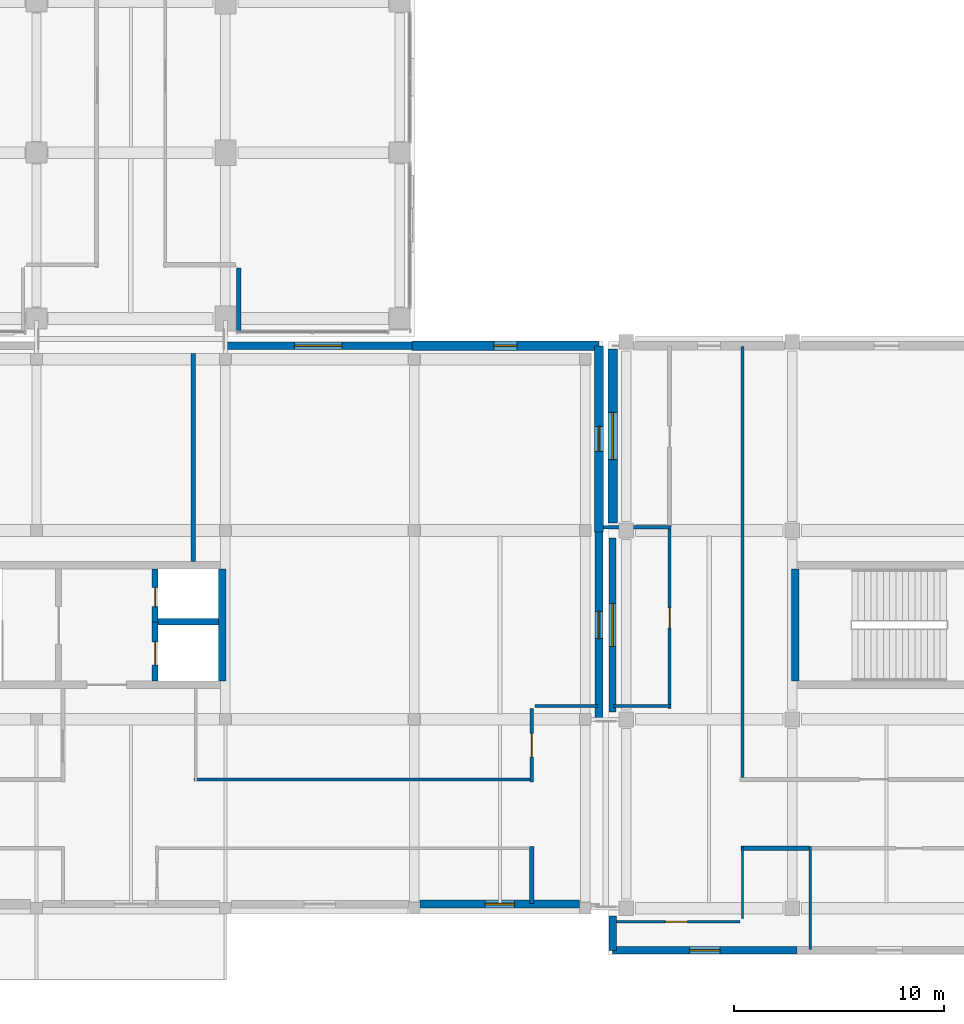
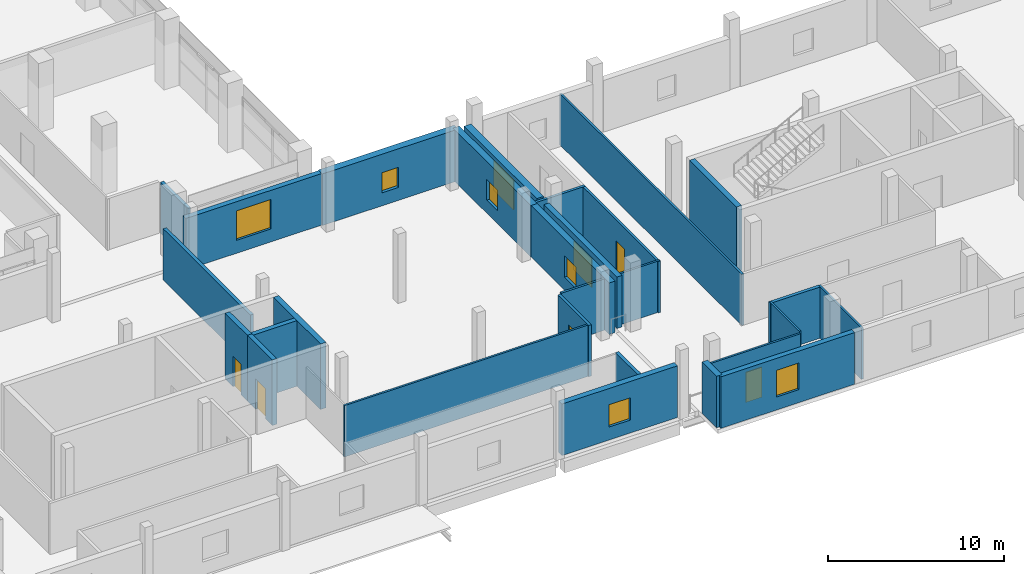
# One storey, part 66 of 111: 28 walls, 8 windows, 5 doors, 13 openings.
"""IFC4 building model written with IfcOpenShell, lengths in metres."""

from ifc_helpers import new_model, si_unit, direction, frame, frame_2d, origin, place, context, subcontext, project, spatial, rectangle, extrude, material, layer, layer_set, type_object, element, fill, save


model = new_model("IFC4")

# Units and contexts
model_context = context("Model", 3, precision=1e-05, world=origin(), true_north=direction((0.0, 1.0)))
body_context = subcontext(model_context, "Body", "Model", "MODEL_VIEW")
ifc_project = project(units=[si_unit("LENGTHUNIT", "METRE"), si_unit("AREAUNIT", "SQUARE_METRE"), si_unit("VOLUMEUNIT", "CUBIC_METRE"), si_unit("PLANEANGLEUNIT", "RADIAN"), si_unit("MASSUNIT", "GRAM", prefix="KILO"), si_unit("THERMODYNAMICTEMPERATUREUNIT", "KELVIN"), si_unit("POWERUNIT", "WATT")], contexts=[model_context])

# Site, building, storey
site_placement = place(None, origin())
site = spatial("IfcSite", under=ifc_project, at=site_placement, CompositionType="ELEMENT")
building_placement = place(site_placement, origin())
building = spatial("IfcBuilding", under=site, at=building_placement, Name="Sindhuravela Promenade Stadium", CompositionType="ELEMENT")
storey_placement = place(building_placement, frame((0.0, 0.0, 9.60009765625)))
storey = spatial("IfcBuildingStorey", under=building, at=storey_placement, Name="L02", CompositionType="ELEMENT", Elevation=9.60009765625)

# Wall, opening, window
ifc_material_1 = material(Name="Terracotta clay brick masonry (15 MPa)", Category="masonry")
ifc_layer_1 = layer(ifc_material_1, 0.340087890625)
ifc_layer_set_1 = layer_set([ifc_layer_1], Name="Terracotta clay brick masonry (15 MPa)")
wall_type_1 = type_object("IfcWallType", Name="EX-WL-BRK340", PredefinedType="SOLIDWALL", material=ifc_layer_set_1)
wall_1_placement = place(storey_placement, frame((54.449951171875, 18.35498046875, 0.0), z_axis=(0.0, 0.0, 1.0), x_axis=(0.0, 1.0, 0.0)))
wall_1 = element("IfcWall", 1, at=wall_1_placement, inside=storey, type_object=wall_type_1, Name="Exterior masonry wall EW06 SOUTH L02", PredefinedType="SOLIDWALL", context=body_context, shape_type="SweptSolid", body=[
    extrude(rectangle(XDim=8.2900390625, YDim=0.340087890625, at=frame_2d((4.14501953125, 0.0))), origin(), (0.0, 0.0, 1.0), 3.579833984375),
])
opening_1_placement = place(wall_1_placement, frame((3.1201171875, 0.0, 0.89990234375)))
opening_1 = element("IfcOpeningElement", 2, at=opening_1_placement, cuts=wall_1, Name="Opening W29", PredefinedType="OPENING", context=body_context, shape_type="SweptSolid", body=[
    extrude(rectangle(XDim=2.050048828125, YDim=2.0, at=frame_2d((1.02490234375, 1.0))), frame((0.0, 0.179931640625, 0.0), z_axis=(0.0, -1.0, 0.0), x_axis=(1.0, 0.0, 0.0)), (0.0, 0.0, 1.0), 0.360107421875),
])
ifc_material_2 = material(Name="Tempered laminated low-E glass", Category="glass")
window_type_1 = type_object("IfcWindowType", Name="WN-FAC-2050x2000", PartitioningType="DOUBLE_PANEL_VERTICAL", PredefinedType="WINDOW", material=ifc_material_2)
window_1_placement = place(opening_1_placement, origin())
window_1 = element("IfcWindow", 3, at=window_1_placement, inside=storey, type_object=window_type_1, Name="Window W29 SOUTH L02", OverallHeight=2.0, OverallWidth=2.050048828125, PartitioningType="DOUBLE_PANEL_VERTICAL", PredefinedType="WINDOW", context=body_context, shape_type="SweptSolid", body=[
    extrude(rectangle(XDim=2.050048828125, YDim=2.0, at=frame_2d((1.02490234375, 1.0))), frame((0.0, 0.030029296875, 0.0), z_axis=(0.0, -1.0, 0.0), x_axis=(1.0, 0.0, 0.0)), (0.0, 0.0, 1.0), 0.06005859375),
])
fill(opening_1, window_1)

wall_2_placement = place(storey_placement, frame((63.2333984375, 7.0, 0.0), z_axis=(0.0, 0.0, 1.0), x_axis=(-1.0, 0.0, 0.0)))
wall_2 = element("IfcWall", 4, at=wall_2_placement, inside=storey, type_object=wall_type_1, Name="Exterior masonry wall EW06 SOUTH L02", PredefinedType="SOLIDWALL", context=body_context, shape_type="SweptSolid", body=[
    extrude(rectangle(XDim=8.783447265625, YDim=0.340087890625, at=frame_2d((4.3916015625, 0.0))), origin(), (0.0, 0.0, 1.0), 3.579833984375),
])
opening_2_placement = place(wall_2_placement, frame((3.66650390625, 0.0, 0.89990234375)))
opening_2 = element("IfcOpeningElement", 5, at=opening_2_placement, cuts=wall_2, Name="Opening W26", PredefinedType="OPENING", context=body_context, shape_type="SweptSolid", body=[
    extrude(rectangle(XDim=1.449951171875, YDim=1.85009765625, at=frame_2d((0.72509765625, 0.925048828125))), frame((0.0, 0.179931640625, 0.0), z_axis=(0.0, -1.0, 0.0), x_axis=(1.0, 0.0, 0.0)), (0.0, 0.0, 1.0), 0.360107421875),
])
window_type_2 = type_object("IfcWindowType", Name="WN-FAC-1450x1850", PartitioningType="SINGLE_PANEL", PredefinedType="WINDOW", material=ifc_material_2)
window_2_placement = place(opening_2_placement, origin())
window_2 = element("IfcWindow", 6, at=window_2_placement, inside=storey, type_object=window_type_2, Name="Window W26 SOUTH L02", OverallHeight=1.85009765625, OverallWidth=1.449951171875, PartitioningType="SINGLE_PANEL", PredefinedType="WINDOW", context=body_context, shape_type="SweptSolid", body=[
    extrude(rectangle(XDim=1.449951171875, YDim=1.85009765625, at=frame_2d((0.72509765625, 0.925048828125))), frame((0.0, 0.030029296875, 0.0), z_axis=(0.0, -1.0, 0.0), x_axis=(1.0, 0.0, 0.0)), (0.0, 0.0, 1.0), 0.06005859375),
])
fill(opening_2, window_2)

wall_3_placement = place(storey_placement, frame((35.9599609375, 35.800048828125, 0.0), z_axis=(0.0, 0.0, 1.0), x_axis=(1.0, 0.0, 0.0)))
wall_3 = element("IfcWall", 7, at=wall_3_placement, inside=storey, type_object=wall_type_1, Name="Exterior masonry wall EW06 Pavilion SW L02", PredefinedType="SOLIDWALL", context=body_context, shape_type="SweptSolid", body=[
    extrude(rectangle(XDim=8.919921875, YDim=0.340087890625, at=frame_2d((4.4599609375, 0.0))), origin(), (0.0, 0.0, 1.0), 3.579833984375),
])
opening_3_placement = place(wall_3_placement, frame((3.3349609375, 0.0, 0.89990234375)))
opening_3 = element("IfcOpeningElement", 8, at=opening_3_placement, cuts=wall_3, Name="Opening W30", PredefinedType="OPENING", context=body_context, shape_type="SweptSolid", body=[
    extrude(rectangle(XDim=2.25, YDim=2.050048828125, at=frame_2d((1.125, 1.02490234375))), frame((0.0, 0.179931640625, 0.0), z_axis=(0.0, -1.0, 0.0), x_axis=(1.0, 0.0, 0.0)), (0.0, 0.0, 1.0), 0.360107421875),
])
window_type_3 = type_object("IfcWindowType", Name="WN-FAC-2250x2050", PartitioningType="DOUBLE_PANEL_VERTICAL", PredefinedType="WINDOW", material=ifc_material_2)
window_3_placement = place(opening_3_placement, origin())
window_3 = element("IfcWindow", 9, at=window_3_placement, inside=storey, type_object=window_type_3, Name="Window W30 Pavilion SW L02", OverallHeight=2.050048828125, OverallWidth=2.25, PartitioningType="DOUBLE_PANEL_VERTICAL", PredefinedType="WINDOW", context=body_context, shape_type="SweptSolid", body=[
    extrude(rectangle(XDim=2.25, YDim=2.050048828125, at=frame_2d((1.125, 1.02490234375))), frame((0.0, 0.030029296875, 0.0), z_axis=(0.0, -1.0, 0.0), x_axis=(1.0, 0.0, 0.0)), (0.0, 0.0, 1.0), 0.06005859375),
])
fill(opening_3, window_3)

# Wall
ifc_layer_2 = layer(ifc_material_1, 0.360107421875)
ifc_layer_set_2 = layer_set([ifc_layer_2], Name="Terracotta clay brick masonry (15 MPa)")
wall_type_2 = type_object("IfcWallType", Name="EX-WL-BRK360", PredefinedType="SOLIDWALL", material=ifc_layer_set_2)
wall_4_placement = place(storey_placement, frame((54.449951171875, 7.0, 0.0), z_axis=(0.0, 0.0, 1.0), x_axis=(0.0, 1.0, 0.0)))
element("IfcWall", 10, at=wall_4_placement, inside=storey, type_object=wall_type_2, Name="Exterior masonry wall EW05 SOUTH L02", PredefinedType="SOLIDWALL", context=body_context, shape_type="SweptSolid", body=[
    extrude(rectangle(XDim=1.64501953125, YDim=0.360107421875, at=frame_2d((0.822509765625, 0.0))), origin(), (0.0, 0.0, 1.0), 3.579833984375),
])

# Wall, opening, window
ifc_layer_3 = layer(ifc_material_1, 0.3798828125)
ifc_layer_set_3 = layer_set([ifc_layer_3], Name="Terracotta clay brick masonry (15 MPa)")
wall_type_3 = type_object("IfcWallType", Name="EX-WL-BRK380", PredefinedType="SOLIDWALL", material=ifc_layer_set_3)
wall_5_placement = place(storey_placement, frame((52.8701171875, 9.199951171875, 0.0), z_axis=(0.0, 0.0, 1.0), x_axis=(-1.0, 0.0, 0.0)))
wall_5 = element("IfcWall", 11, at=wall_5_placement, inside=storey, type_object=wall_type_3, Name="Exterior masonry wall EW04 Pavilion SW L02", PredefinedType="SOLIDWALL", context=body_context, shape_type="SweptSolid", body=[
    extrude(rectangle(XDim=7.590087890625, YDim=0.3798828125, at=frame_2d((3.794921875, 0.0))), origin(), (0.0, 0.0, 1.0), 3.579833984375),
])
opening_4_placement = place(wall_5_placement, frame((3.094970703125, 0.0, 0.89990234375)))
opening_4 = element("IfcOpeningElement", 12, at=opening_4_placement, cuts=wall_5, Name="Opening W04", PredefinedType="OPENING", context=body_context, shape_type="SweptSolid", body=[
    extrude(rectangle(XDim=1.39990234375, YDim=1.550048828125, at=frame_2d((0.699951171875, 0.77490234375))), frame((0.0, 0.199951171875, 0.0), z_axis=(0.0, -1.0, 0.0), x_axis=(1.0, 0.0, 0.0)), (0.0, 0.0, 1.0), 0.39990234375),
])
window_type_4 = type_object("IfcWindowType", Name="WN-FAC-1400x1550", PartitioningType="SINGLE_PANEL", PredefinedType="WINDOW", material=ifc_material_2)
window_4_placement = place(opening_4_placement, origin())
window_4 = element("IfcWindow", 13, at=window_4_placement, inside=storey, type_object=window_type_4, Name="Window W04 Pavilion SW L02", OverallHeight=1.550048828125, OverallWidth=1.39990234375, PartitioningType="SINGLE_PANEL", PredefinedType="WINDOW", context=body_context, shape_type="SweptSolid", body=[
    extrude(rectangle(XDim=1.39990234375, YDim=1.550048828125, at=frame_2d((0.699951171875, 0.77490234375))), frame((0.0, 0.030029296875, 0.0), z_axis=(0.0, -1.0, 0.0), x_axis=(1.0, 0.0, 0.0)), (0.0, 0.0, 1.0), 0.06005859375),
])
fill(opening_4, window_4)

ifc_layer_4 = layer(ifc_material_1, 0.39990234375)
ifc_layer_set_4 = layer_set([ifc_layer_4], Name="Terracotta clay brick masonry (15 MPa)")
wall_type_4 = type_object("IfcWallType", Name="EX-WL-BRK400", PredefinedType="SOLIDWALL", material=ifc_layer_set_4)
wall_6_placement = place(storey_placement, frame((53.800048828125, 26.933349609375, 0.0), z_axis=(0.0, 0.0, 1.0), x_axis=(0.0, -1.0, 0.0)))
wall_6 = element("IfcWall", 14, at=wall_6_placement, inside=storey, type_object=wall_type_4, Name="Exterior masonry wall EW03 Pavilion SW L02", PredefinedType="SOLIDWALL", context=body_context, shape_type="SweptSolid", body=[
    extrude(rectangle(XDim=8.86669921875, YDim=0.39990234375, at=frame_2d((4.433349609375, 0.0))), origin(), (0.0, 0.0, 1.0), 3.579833984375),
])
opening_5_placement = place(wall_6_placement, frame((3.783203125, 0.0, 0.89990234375)))
opening_5 = element("IfcOpeningElement", 15, at=opening_5_placement, cuts=wall_6, Name="Opening W03", PredefinedType="OPENING", context=body_context, shape_type="SweptSolid", body=[
    extrude(rectangle(XDim=1.300048828125, YDim=1.5, at=frame_2d((0.64990234375, 0.75))), frame((0.0, 0.2099609375, 0.0), z_axis=(0.0, -1.0, 0.0), x_axis=(1.0, 0.0, 0.0)), (0.0, 0.0, 1.0), 0.419921875),
])
window_type_5 = type_object("IfcWindowType", Name="WN-FAC-1300x1500", PartitioningType="SINGLE_PANEL", PredefinedType="WINDOW", material=ifc_material_2)
window_5_placement = place(opening_5_placement, origin())
window_5 = element("IfcWindow", 16, at=window_5_placement, inside=storey, type_object=window_type_5, Name="Window W03 Pavilion SW L02", OverallHeight=1.5, OverallWidth=1.300048828125, PartitioningType="SINGLE_PANEL", PredefinedType="WINDOW", context=body_context, shape_type="SweptSolid", body=[
    extrude(rectangle(XDim=1.300048828125, YDim=1.5, at=frame_2d((0.64990234375, 0.75))), frame((0.0, 0.030029296875, 0.0), z_axis=(0.0, -1.0, 0.0), x_axis=(1.0, 0.0, 0.0)), (0.0, 0.0, 1.0), 0.06005859375),
])
fill(opening_5, window_5)

ifc_layer_5 = layer(ifc_material_1, 0.419921875)
ifc_layer_set_5 = layer_set([ifc_layer_5], Name="Terracotta clay brick masonry (15 MPa)")
wall_type_5 = type_object("IfcWallType", Name="EX-WL-BRK420", PredefinedType="SOLIDWALL", material=ifc_layer_set_5)
wall_7_placement = place(storey_placement, frame((53.800048828125, 35.800048828125, 0.0), z_axis=(0.0, 0.0, 1.0), x_axis=(0.0, -1.0, 0.0)))
wall_7 = element("IfcWall", 17, at=wall_7_placement, inside=storey, type_object=wall_type_5, Name="Exterior masonry wall EW02 Pavilion SW L02", PredefinedType="SOLIDWALL", context=body_context, shape_type="SweptSolid", body=[
    extrude(rectangle(XDim=8.86669921875, YDim=0.419921875, at=frame_2d((4.433349609375, 0.0))), origin(), (0.0, 0.0, 1.0), 3.579833984375),
])
opening_6_placement = place(wall_7_placement, frame((3.833251953125, 0.0, 0.89990234375)))
opening_6 = element("IfcOpeningElement", 18, at=opening_6_placement, cuts=wall_7, Name="Opening W02", PredefinedType="OPENING", context=body_context, shape_type="SweptSolid", body=[
    extrude(rectangle(XDim=1.199951171875, YDim=1.449951171875, at=frame_2d((0.60009765625, 0.72509765625))), frame((0.0, 0.219970703125, 0.0), z_axis=(0.0, -1.0, 0.0), x_axis=(1.0, 0.0, 0.0)), (0.0, 0.0, 1.0), 0.43994140625),
])
window_type_6 = type_object("IfcWindowType", Name="WN-FAC-1200x1450", PartitioningType="SINGLE_PANEL", PredefinedType="WINDOW", material=ifc_material_2)
window_6_placement = place(opening_6_placement, origin())
window_6 = element("IfcWindow", 19, at=window_6_placement, inside=storey, type_object=window_type_6, Name="Window W02 Pavilion SW L02", OverallHeight=1.449951171875, OverallWidth=1.199951171875, PartitioningType="SINGLE_PANEL", PredefinedType="WINDOW", context=body_context, shape_type="SweptSolid", body=[
    extrude(rectangle(XDim=1.199951171875, YDim=1.449951171875, at=frame_2d((0.60009765625, 0.72509765625))), frame((0.0, 0.030029296875, 0.0), z_axis=(0.0, -1.0, 0.0), x_axis=(1.0, 0.0, 0.0)), (0.0, 0.0, 1.0), 0.06005859375),
])
fill(opening_6, window_6)

ifc_layer_6 = layer(ifc_material_1, 0.4599609375)
ifc_layer_set_6 = layer_set([ifc_layer_6], Name="Terracotta clay brick masonry (15 MPa)")
wall_type_6 = type_object("IfcWallType", Name="EX-WL-BRK460", PredefinedType="SOLIDWALL", material=ifc_layer_set_6)
wall_8_placement = place(storey_placement, frame((54.449951171875, 27.35498046875, 0.0), z_axis=(0.0, 0.0, 1.0), x_axis=(0.0, 1.0, 0.0)))
wall_8 = element("IfcWall", 20, at=wall_8_placement, inside=storey, type_object=wall_type_6, Name="Exterior masonry wall EW01 SOUTH L02", PredefinedType="SOLIDWALL", context=body_context, shape_type="SweptSolid", body=[
    extrude(rectangle(XDim=8.2900390625, YDim=0.4599609375, at=frame_2d((4.14501953125, 0.0))), origin(), (0.0, 0.0, 1.0), 3.579833984375),
])
opening_7_placement = place(wall_8_placement, frame((3.02001953125, 0.0, 0.89990234375)))
opening_7 = element("IfcOpeningElement", 21, at=opening_7_placement, cuts=wall_8, Name="Opening W30", PredefinedType="OPENING", context=body_context, shape_type="SweptSolid", body=[
    extrude(rectangle(XDim=2.25, YDim=2.050048828125, at=frame_2d((1.125, 1.02490234375))), frame((0.0, 0.239990234375, 0.0), z_axis=(0.0, -1.0, 0.0), x_axis=(1.0, 0.0, 0.0)), (0.0, 0.0, 1.0), 0.47998046875),
])
window_7_placement = place(opening_7_placement, origin())
window_7 = element("IfcWindow", 22, at=window_7_placement, inside=storey, type_object=window_type_3, Name="Window W30 SOUTH L02", OverallHeight=2.050048828125, OverallWidth=2.25, PartitioningType="DOUBLE_PANEL_VERTICAL", PredefinedType="WINDOW", context=body_context, shape_type="SweptSolid", body=[
    extrude(rectangle(XDim=2.25, YDim=2.050048828125, at=frame_2d((1.125, 1.02490234375))), frame((0.0, 0.030029296875, 0.0), z_axis=(0.0, -1.0, 0.0), x_axis=(1.0, 0.0, 0.0)), (0.0, 0.0, 1.0), 0.06005859375),
])
fill(opening_7, window_7)

wall_9_placement = place(storey_placement, frame((44.8798828125, 35.800048828125, 0.0), z_axis=(0.0, 0.0, 1.0), x_axis=(1.0, 0.0, 0.0)))
wall_9 = element("IfcWall", 23, at=wall_9_placement, inside=storey, type_object=wall_type_6, Name="Exterior masonry wall EW01 Pavilion SW L02", PredefinedType="SOLIDWALL", context=body_context, shape_type="SweptSolid", body=[
    extrude(rectangle(XDim=8.920166015625, YDim=0.4599609375, at=frame_2d((4.4599609375, 0.0))), origin(), (0.0, 0.0, 1.0), 3.579833984375),
])
opening_8_placement = place(wall_9_placement, frame((3.909912109375, 0.0, 0.89990234375)))
opening_8 = element("IfcOpeningElement", 24, at=opening_8_placement, cuts=wall_9, Name="Opening W01", PredefinedType="OPENING", context=body_context, shape_type="SweptSolid", body=[
    extrude(rectangle(XDim=1.10009765625, YDim=1.39990234375, at=frame_2d((0.550048828125, 0.699951171875))), frame((0.0, 0.239990234375, 0.0), z_axis=(0.0, -1.0, 0.0), x_axis=(1.0, 0.0, 0.0)), (0.0, 0.0, 1.0), 0.47998046875),
])
window_type_7 = type_object("IfcWindowType", Name="WN-FAC-1100x1400", PartitioningType="SINGLE_PANEL", PredefinedType="WINDOW", material=ifc_material_2)
window_8_placement = place(opening_8_placement, origin())
window_8 = element("IfcWindow", 25, at=window_8_placement, inside=storey, type_object=window_type_7, Name="Window W01 Pavilion SW L02", OverallHeight=1.39990234375, OverallWidth=1.10009765625, PartitioningType="SINGLE_PANEL", PredefinedType="WINDOW", context=body_context, shape_type="SweptSolid", body=[
    extrude(rectangle(XDim=1.10009765625, YDim=1.39990234375, at=frame_2d((0.550048828125, 0.699951171875))), frame((0.0, 0.030029296875, 0.0), z_axis=(0.0, -1.0, 0.0), x_axis=(1.0, 0.0, 0.0)), (0.0, 0.0, 1.0), 0.06005859375),
])
fill(opening_8, window_8)

# Walls
ifc_material_3 = material(Name="Fire-rated gypsum partition board", Category="gypsum")
ifc_layer_7 = layer(ifc_material_3, 0.110107421875)
ifc_layer_set_7 = layer_set([ifc_layer_7], Name="Fire-rated gypsum partition board")
wall_type_7 = type_object("IfcWallType", Name="IN-WL-PAR110", PredefinedType="PARTITIONING", material=ifc_layer_set_7)
wall_10_placement = place(storey_placement, frame((60.639892578125, 8.52001953125, 0.0), z_axis=(0.0, 0.0, 1.0), x_axis=(0.0, 1.0, 0.0)))
element("IfcWall", 26, at=wall_10_placement, inside=storey, type_object=wall_type_7, Name="Interior partition IW06 SOUTH L02", PredefinedType="PARTITIONING", context=body_context, shape_type="SweptSolid", body=[
    extrude(rectangle(XDim=3.419921875, YDim=0.110107421875, at=frame_2d((1.7099609375, 0.0))), origin(), (0.0, 0.0, 1.0), 3.559814453125),
])
ifc_layer_8 = layer(ifc_material_3, 0.1298828125)
ifc_layer_set_8 = layer_set([ifc_layer_8], Name="Fire-rated gypsum partition board")
wall_type_8 = type_object("IfcWallType", Name="IN-WL-PAR130", PredefinedType="PARTITIONING", material=ifc_layer_set_8)
wall_11_placement = place(storey_placement, frame((60.639892578125, 15.06005859375, 0.0), z_axis=(0.0, 0.0, 1.0), x_axis=(0.0, 1.0, 0.0)))
element("IfcWall", 27, at=wall_11_placement, inside=storey, type_object=wall_type_8, Name="Interior partition IW05 SOUTH L02", PredefinedType="PARTITIONING", context=body_context, shape_type="SweptSolid", body=[
    extrude(rectangle(XDim=20.699951171875, YDim=0.1298828125, at=frame_2d((10.35009765625, 0.0))), origin(), (0.0, 0.0, 1.0), 3.559814453125),
])
wall_12_placement = place(storey_placement, frame((63.864990234375, 7.0400390625, 0.0), z_axis=(0.0, 0.0, 1.0), x_axis=(0.0, 1.0, 0.0)))
element("IfcWall", 28, at=wall_12_placement, inside=storey, type_object=wall_type_8, Name="Interior partition IW05 SOUTH L02", PredefinedType="PARTITIONING", context=body_context, shape_type="SweptSolid", body=[
    extrude(rectangle(XDim=4.89990234375, YDim=0.1298828125, at=frame_2d((2.449951171875, 0.0))), origin(), (0.0, 0.0, 1.0), 3.559814453125),
])

# Wall, opening, door
wall_13_placement = place(storey_placement, frame((60.52001953125, 8.360107421875, 0.0), z_axis=(0.0, 0.0, 1.0), x_axis=(-1.0, 0.0, 0.0)))
wall_13 = element("IfcWall", 29, at=wall_13_placement, inside=storey, type_object=wall_type_8, Name="Corridor partition IW05 Public Toilet Block South L02 7", PredefinedType="PARTITIONING", context=body_context, shape_type="SweptSolid", body=[
    extrude(rectangle(XDim=6.070068359375, YDim=0.1298828125, at=frame_2d((3.03515625, 0.0))), origin(), (0.0, 0.0, 1.0), 3.559814453125),
])
opening_9_placement = place(wall_13_placement, frame((2.510009765625, 0.0, 0.0)))
opening_9 = element("IfcOpeningElement", 30, at=opening_9_placement, cuts=wall_13, Name="Opening ID07", PredefinedType="OPENING", context=body_context, shape_type="SweptSolid", body=[
    extrude(rectangle(XDim=1.050048828125, YDim=2.10009765625, at=frame_2d((0.52490234375, 1.050048828125))), frame((0.0, 0.074951171875, 0.0), z_axis=(0.0, -1.0, 0.0), x_axis=(1.0, 0.0, 0.0)), (0.0, 0.0, 1.0), 0.14990234375),
])
ifc_material_4 = material(Name="Architectural teak timber leaf", Category="wood")
door_type_1 = type_object("IfcDoorType", Name="DR-INT-1050x2100", OperationType="NOTDEFINED", PredefinedType="DOOR", material=ifc_material_4)
door_1_placement = place(opening_9_placement, origin())
door_1 = element("IfcDoor", 31, at=door_1_placement, inside=storey, type_object=door_type_1, Name="Public Toilet Block South L02 7 door", OperationType="SINGLE_SWING_RIGHT", OverallHeight=2.10009765625, OverallWidth=1.050048828125, PredefinedType="DOOR", context=body_context, shape_type="SweptSolid", body=[
    extrude(rectangle(XDim=1.050048828125, YDim=2.10009765625, at=frame_2d((0.52490234375, 1.050048828125))), frame((0.0, 0.02490234375, 0.0), z_axis=(0.0, -1.0, 0.0), x_axis=(1.0, 0.0, 0.0)), (0.0, 0.0, 1.0), 0.050048828125),
])
fill(opening_9, door_1)

# Walls
wall_14_placement = place(storey_placement, frame((57.239990234375, 18.639892578125, 0.0), z_axis=(0.0, 0.0, 1.0), x_axis=(-1.0, 0.0, 0.0)))
element("IfcWall", 32, at=wall_14_placement, inside=storey, type_object=wall_type_8, Name="Interior partition IW05 SOUTH L02", PredefinedType="PARTITIONING", context=body_context, shape_type="SweptSolid", body=[
    extrude(rectangle(XDim=2.75, YDim=0.1298828125, at=frame_2d((1.375, 0.0))), origin(), (0.0, 0.0, 1.0), 3.559814453125),
])
wall_15_placement = place(storey_placement, frame((50.669921875, 15.139892578125, 0.0), z_axis=(0.0, 0.0, 1.0), x_axis=(-1.0, 0.0, 0.0)))
element("IfcWall", 33, at=wall_15_placement, inside=storey, type_object=wall_type_8, Name="Interior partition IW05 Pavilion SW L02", PredefinedType="PARTITIONING", context=body_context, shape_type="SweptSolid", body=[
    extrude(rectangle(XDim=16.169921875, YDim=0.1298828125, at=frame_2d((8.0849609375, 0.0))), origin(), (0.0, 0.0, 1.0), 3.559814453125),
])

# Wall, opening, door
ifc_layer_9 = layer(ifc_material_3, 0.14990234375)
ifc_layer_set_9 = layer_set([ifc_layer_9], Name="Fire-rated gypsum partition board")
wall_type_9 = type_object("IfcWallType", Name="IN-WL-PAR150", PredefinedType="PARTITIONING", material=ifc_layer_set_9)
wall_16_placement = place(storey_placement, frame((57.159912109375, 18.52001953125, 0.0), z_axis=(0.0, 0.0, 1.0), x_axis=(0.0, 1.0, 0.0)))
wall_16 = element("IfcWall", 34, at=wall_16_placement, inside=storey, type_object=wall_type_9, Name="Corridor partition IW04 Civic Seminar and Education Room 9", PredefinedType="PARTITIONING", context=body_context, shape_type="SweptSolid", body=[
    extrude(rectangle(XDim=8.639892578125, YDim=0.14990234375, at=frame_2d((4.31982421875, 0.0))), origin(), (0.0, 0.0, 1.0), 3.559814453125),
])
opening_10_placement = place(wall_16_placement, frame((3.844970703125, 0.0, 0.0)))
opening_10 = element("IfcOpeningElement", 35, at=opening_10_placement, cuts=wall_16, Name="Opening ID09", PredefinedType="OPENING", context=body_context, shape_type="SweptSolid", body=[
    extrude(rectangle(XDim=0.949951171875, YDim=2.10009765625, at=frame_2d((0.47509765625, 1.050048828125))), frame((0.0, 0.0849609375, 0.0), z_axis=(0.0, -1.0, 0.0), x_axis=(1.0, 0.0, 0.0)), (0.0, 0.0, 1.0), 0.169921875),
])
door_type_2 = type_object("IfcDoorType", Name="DR-INT-950x2100", OperationType="NOTDEFINED", PredefinedType="DOOR", material=ifc_material_4)
door_2_placement = place(opening_10_placement, origin())
door_2 = element("IfcDoor", 36, at=door_2_placement, inside=storey, type_object=door_type_2, Name="Civic Seminar and Education Room 9 door", OperationType="SINGLE_SWING_RIGHT", OverallHeight=2.10009765625, OverallWidth=0.949951171875, PredefinedType="DOOR", context=body_context, shape_type="SweptSolid", body=[
    extrude(rectangle(XDim=0.949951171875, YDim=2.10009765625, at=frame_2d((0.47509765625, 1.050048828125))), frame((0.0, 0.02490234375, 0.0), z_axis=(0.0, -1.0, 0.0), x_axis=(1.0, 0.0, 0.0)), (0.0, 0.0, 1.0), 0.050048828125),
])
fill(opening_10, door_2)

# Walls
wall_17_placement = place(storey_placement, frame((53.760009765625, 18.639892578125, 0.0), z_axis=(0.0, 0.0, 1.0), x_axis=(-1.0, 0.0, 0.0)))
element("IfcWall", 37, at=wall_17_placement, inside=storey, type_object=wall_type_9, Name="Interior partition IW04 Pavilion SW L02", PredefinedType="PARTITIONING", context=body_context, shape_type="SweptSolid", body=[
    extrude(rectangle(XDim=3.010009765625, YDim=0.14990234375, at=frame_2d((1.5048828125, 0.0))), origin(), (0.0, 0.0, 1.0), 3.559814453125),
])
ifc_layer_10 = layer(ifc_material_3, 0.175048828125)
ifc_layer_set_10 = layer_set([ifc_layer_10], Name="Fire-rated gypsum partition board")
wall_type_10 = type_object("IfcWallType", Name="IN-WL-PAR175", PredefinedType="PARTITIONING", material=ifc_layer_set_10)
wall_18_placement = place(storey_placement, frame((57.239990234375, 27.159912109375, 0.0), z_axis=(0.0, 0.0, 1.0), x_axis=(-1.0, 0.0, 0.0)))
element("IfcWall", 38, at=wall_18_placement, inside=storey, type_object=wall_type_10, Name="Interior partition IW03 SOUTH L02", PredefinedType="PARTITIONING", context=body_context, shape_type="SweptSolid", body=[
    extrude(rectangle(XDim=3.22705078125, YDim=0.175048828125, at=frame_2d((1.613525390625, 0.0))), origin(), (0.0, 0.0, 1.0), 3.559814453125),
])

# Wall, opening, door
wall_19_placement = place(storey_placement, frame((50.590087890625, 15.02001953125, 0.0), z_axis=(0.0, 0.0, 1.0), x_axis=(0.0, 1.0, 0.0)))
wall_19 = element("IfcWall", 39, at=wall_19_placement, inside=storey, type_object=wall_type_10, Name="Corridor partition IW03 Pavilion Parkview Club Lounge SW", PredefinedType="PARTITIONING", context=body_context, shape_type="SweptSolid", body=[
    extrude(rectangle(XDim=3.5, YDim=0.175048828125, at=frame_2d((1.75, 0.0))), origin(), (0.0, 0.0, 1.0), 3.559814453125),
])
opening_11_placement = place(wall_19_placement, frame((1.18994140625, 0.0, 0.0)))
opening_11 = element("IfcOpeningElement", 40, at=opening_11_placement, cuts=wall_19, Name="Opening ID13", PredefinedType="OPENING", context=body_context, shape_type="SweptSolid", body=[
    extrude(rectangle(XDim=1.1201171875, YDim=2.219970703125, at=frame_2d((0.56005859375, 1.10986328125))), frame((0.0, 0.097412109375, 0.0), z_axis=(0.0, -1.0, 0.0), x_axis=(1.0, 0.0, 0.0)), (0.0, 0.0, 1.0), 0.195068359375),
])
door_type_3 = type_object("IfcDoorType", Name="DR-INT-1120x2220", OperationType="NOTDEFINED", PredefinedType="DOOR", material=ifc_material_4)
door_3_placement = place(opening_11_placement, origin())
door_3 = element("IfcDoor", 41, at=door_3_placement, inside=storey, type_object=door_type_3, Name="Pavilion Parkview Club Lounge SW door", OperationType="SINGLE_SWING_LEFT", OverallHeight=2.219970703125, OverallWidth=1.1201171875, PredefinedType="DOOR", context=body_context, shape_type="SweptSolid", body=[
    extrude(rectangle(XDim=1.1201171875, YDim=2.219970703125, at=frame_2d((0.56005859375, 1.10986328125))), frame((0.0, 0.02490234375, 0.0), z_axis=(0.0, -1.0, 0.0), x_axis=(1.0, 0.0, 0.0)), (0.0, 0.0, 1.0), 0.050048828125),
])
fill(opening_11, door_3)

# Walls
ifc_layer_11 = layer(ifc_material_3, 0.219970703125)
ifc_layer_set_11 = layer_set([ifc_layer_11], Name="Fire-rated gypsum partition board")
wall_type_11 = type_object("IfcWallType", Name="IN-WL-PAR220", PredefinedType="PARTITIONING", material=ifc_layer_set_11)
wall_20_placement = place(storey_placement, frame((36.639892578125, 36.489990234375, 0.0), z_axis=(0.0, 0.0, 1.0), x_axis=(0.0, 1.0, 0.0)))
element("IfcWall", 42, at=wall_20_placement, inside=storey, type_object=wall_type_11, Name="Interior partition IW01 WEST L02", PredefinedType="PARTITIONING", context=body_context, shape_type="SweptSolid", body=[
    extrude(rectangle(XDim=3.010009765625, YDim=0.219970703125, at=frame_2d((1.5048828125, 0.0))), origin(), (0.0, 0.0, 1.0), 3.559814453125),
])
wall_21_placement = place(storey_placement, frame((60.56005859375, 11.860107421875, 0.0), z_axis=(0.0, 0.0, 1.0), x_axis=(1.0, 0.0, 0.0)))
element("IfcWall", 43, at=wall_21_placement, inside=storey, type_object=wall_type_11, Name="Interior partition IW01 SOUTH L02", PredefinedType="PARTITIONING", context=body_context, shape_type="SweptSolid", body=[
    extrude(rectangle(XDim=3.264892578125, YDim=0.219970703125, at=frame_2d((1.63232421875, 0.0))), origin(), (0.0, 0.0, 1.0), 3.559814453125),
])
wall_22_placement = place(storey_placement, frame((34.4599609375, 25.527099609375, 0.0), z_axis=(0.0, 0.0, 1.0), x_axis=(0.0, 1.0, 0.0)))
element("IfcWall", 44, at=wall_22_placement, inside=storey, type_object=wall_type_11, Name="Interior partition IW01 Pavilion SW L02", PredefinedType="PARTITIONING", context=body_context, shape_type="SweptSolid", body=[
    extrude(rectangle(XDim=9.90283203125, YDim=0.219970703125, at=frame_2d((4.951416015625, 0.0))), origin(), (0.0, 0.0, 1.0), 3.559814453125),
])
wall_23_placement = place(storey_placement, frame((50.590087890625, 11.93994140625, 0.0), z_axis=(0.0, 0.0, 1.0), x_axis=(0.0, -1.0, 0.0)))
element("IfcWall", 45, at=wall_23_placement, inside=storey, type_object=wall_type_11, Name="Interior partition IW01 Pavilion SW L02", PredefinedType="PARTITIONING", context=body_context, shape_type="SweptSolid", body=[
    extrude(rectangle(XDim=2.699951171875, YDim=0.219970703125, at=frame_2d((1.35009765625, 0.0))), origin(), (0.0, 0.0, 1.0), 3.559814453125),
])

# Wall, opening, door
ifc_material_5 = material(Name="Concrete M50", Category="concrete")
ifc_layer_12 = layer(ifc_material_5, 0.300048828125)
ifc_layer_set_12 = layer_set([ifc_layer_12], Name="Concrete M50")
wall_type_12 = type_object("IfcWallType", Name="RC-SW-300", PredefinedType="SHEAR", material=ifc_layer_set_12)
wall_24_placement = place(storey_placement, frame((32.64990234375, 19.824951171875, 0.0), z_axis=(0.0, 0.0, 1.0), x_axis=(0.0, 1.0, 0.0)))
wall_24 = element("IfcWall", 46, at=wall_24_placement, inside=storey, type_object=wall_type_12, Name="Core shear wall C13-LFT (L02)", PredefinedType="SHEAR", context=body_context, shape_type="SweptSolid", body=[
    extrude(rectangle(XDim=2.824951171875, YDim=0.300048828125, at=frame_2d((1.41259765625, 0.0))), origin(), (0.0, 0.0, 1.0), 4.554931640625),
])
opening_12_placement = place(wall_24_placement, frame((0.77490234375, 0.0, 0.0)))
opening_12 = element("IfcOpeningElement", 47, at=opening_12_placement, cuts=wall_24, Name="Opening LD", PredefinedType="OPENING", context=body_context, shape_type="SweptSolid", body=[
    extrude(rectangle(XDim=1.10009765625, YDim=2.10009765625, at=frame_2d((0.550048828125, 1.050048828125))), frame((0.0, 0.159912109375, 0.0), z_axis=(0.0, -1.0, 0.0), x_axis=(1.0, 0.0, 0.0)), (0.0, 0.0, 1.0), 0.320068359375),
])
ifc_material_6 = material(Name="Architectural wrought steel E350", Category="steel")
door_type_4 = type_object("IfcDoorType", Name="DR-LFT-1100x2100", OperationType="DOUBLE_DOOR_SLIDING", PredefinedType="DOOR", material=ifc_material_6)
door_4_placement = place(opening_12_placement, origin())
door_4 = element("IfcDoor", 48, at=door_4_placement, inside=storey, type_object=door_type_4, Name="Lift PL05 landing door (L02)", OperationType="DOUBLE_DOOR_SLIDING", OverallHeight=2.10009765625, OverallWidth=1.10009765625, PredefinedType="DOOR", context=body_context, shape_type="SweptSolid", body=[
    extrude(rectangle(XDim=1.10009765625, YDim=2.10009765625, at=frame_2d((0.550048828125, 1.050048828125))), frame((0.0, 0.02490234375, 0.0), z_axis=(0.0, -1.0, 0.0), x_axis=(1.0, 0.0, 0.0)), (0.0, 0.0, 1.0), 0.050048828125),
])
fill(opening_12, door_4)

wall_25_placement = place(storey_placement, frame((32.64990234375, 22.64990234375, 0.0), z_axis=(0.0, 0.0, 1.0), x_axis=(0.0, 1.0, 0.0)))
wall_25 = element("IfcWall", 49, at=wall_25_placement, inside=storey, type_object=wall_type_12, Name="Core shear wall C13-RSR (L02)", PredefinedType="SHEAR", context=body_context, shape_type="SweptSolid", body=[
    extrude(rectangle(XDim=2.525146484375, YDim=0.300048828125, at=frame_2d((1.2626953125, 0.0))), origin(), (0.0, 0.0, 1.0), 4.554931640625),
])
opening_13_placement = place(wall_25_placement, frame((0.72509765625, 0.0, 0.0)))
opening_13 = element("IfcOpeningElement", 50, at=opening_13_placement, cuts=wall_25, Name="Opening FD03", PredefinedType="OPENING", context=body_context, shape_type="SweptSolid", body=[
    extrude(rectangle(XDim=0.89990234375, YDim=2.10009765625, at=frame_2d((0.449951171875, 1.050048828125))), frame((0.0, 0.159912109375, 0.0), z_axis=(0.0, -1.0, 0.0), x_axis=(1.0, 0.0, 0.0)), (0.0, 0.0, 1.0), 0.320068359375),
])
door_type_5 = type_object("IfcDoorType", Name="DR-RSR-900x2100", OperationType="NOTDEFINED", PredefinedType="DOOR", material=ifc_material_6)
door_5_placement = place(opening_13_placement, origin())
door_5 = element("IfcDoor", 51, at=door_5_placement, inside=storey, type_object=door_type_5, Name="Riser shaft access door C13 (L02)", OperationType="SINGLE_SWING_LEFT", OverallHeight=2.10009765625, OverallWidth=0.89990234375, PredefinedType="DOOR", context=body_context, shape_type="SweptSolid", body=[
    extrude(rectangle(XDim=0.89990234375, YDim=2.10009765625, at=frame_2d((0.449951171875, 1.050048828125))), frame((0.0, 0.02490234375, 0.0), z_axis=(0.0, -1.0, 0.0), x_axis=(1.0, 0.0, 0.0)), (0.0, 0.0, 1.0), 0.050048828125),
])
fill(opening_13, door_5)

# Walls
wall_26_placement = place(storey_placement, frame((32.800048828125, 22.64990234375, 0.0), z_axis=(0.0, 0.0, 1.0), x_axis=(1.0, 0.0, 0.0)))
element("IfcWall", 52, at=wall_26_placement, inside=storey, type_object=wall_type_12, Name="Core shear wall C13-DIV (L02)", PredefinedType="SHEAR", context=body_context, shape_type="SweptSolid", body=[
    extrude(rectangle(XDim=2.875, YDim=0.300048828125, at=frame_2d((1.4375, 0.0))), origin(), (0.0, 0.0, 1.0), 4.554931640625),
])
ifc_layer_13 = layer(ifc_material_5, 0.35009765625)
ifc_layer_set_13 = layer_set([ifc_layer_13], Name="Concrete M50")
wall_type_13 = type_object("IfcWallType", Name="RC-SW-350", PredefinedType="SHEAR", material=ifc_layer_set_13)
wall_27_placement = place(storey_placement, frame((63.14990234375, 25.175048828125, 0.0), z_axis=(0.0, 0.0, 1.0), x_axis=(0.0, -1.0, 0.0)))
element("IfcWall", 53, at=wall_27_placement, inside=storey, type_object=wall_type_13, Name="Core shear wall C11-W (L02)", PredefinedType="SHEAR", context=body_context, shape_type="SweptSolid", body=[
    extrude(rectangle(XDim=5.35009765625, YDim=0.35009765625, at=frame_2d((2.675048828125, 0.0))), origin(), (0.0, 0.0, 1.0), 4.5),
])
wall_28_placement = place(storey_placement, frame((35.85009765625, 19.824951171875, 0.0), z_axis=(0.0, 0.0, 1.0), x_axis=(0.0, 1.0, 0.0)))
element("IfcWall", 54, at=wall_28_placement, inside=storey, type_object=wall_type_13, Name="Core shear wall C13-E (L02)", PredefinedType="SHEAR", context=body_context, shape_type="SweptSolid", body=[
    extrude(rectangle(XDim=5.35009765625, YDim=0.35009765625, at=frame_2d((2.675048828125, 0.0))), origin(), (0.0, 0.0, 1.0), 4.554931640625),
])

save(model, "model.ifc")
